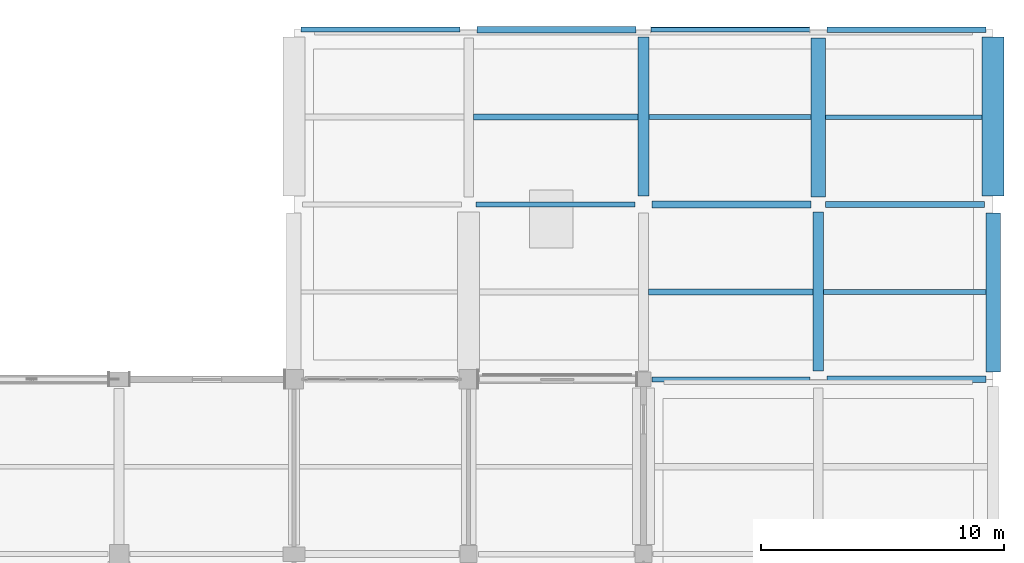
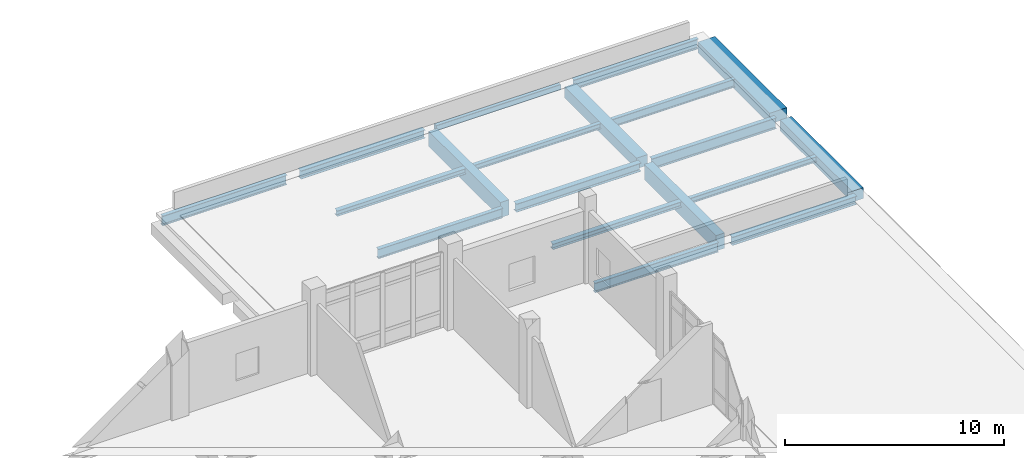
# One storey, part 117 of 186: 19 beams.
"""IFC4 building model written with IfcOpenShell, lengths in metres."""

from ifc_helpers import new_model, si_unit, direction, frame, origin, origin_2d, place, context, subcontext, project, spatial, rectangle, hollow_rectangle, i_section, extrude, material, material_profile, profile_set, type_object, element, save


model = new_model("IFC4")

# Units and contexts
model_context = context("Model", 3, precision=1e-05, world=origin(), true_north=direction((0.0, 1.0)))
body_context = subcontext(model_context, "Body", "Model", "MODEL_VIEW")
ifc_project = project(units=[si_unit("LENGTHUNIT", "METRE"), si_unit("AREAUNIT", "SQUARE_METRE"), si_unit("VOLUMEUNIT", "CUBIC_METRE"), si_unit("PLANEANGLEUNIT", "RADIAN"), si_unit("MASSUNIT", "GRAM", prefix="KILO")], contexts=[model_context])

# Site, building, storey
site_placement = place(None, origin())
site = spatial("IfcSite", under=ifc_project, at=site_placement, CompositionType="ELEMENT")
building_placement = place(site_placement, origin())
building = spatial("IfcBuilding", under=site, at=building_placement, Name="Calvrana Isthmian Art Gallery", CompositionType="ELEMENT")
storey_placement = place(building_placement, frame((0.0, 0.0, 5.39990234375)))
storey = spatial("IfcBuildingStorey", under=building, at=storey_placement, Name="L01", CompositionType="ELEMENT", Elevation=5.39990234375)

# Beams
ifc_material_1 = material(Name="Steel ASTM A992 Gr 50", Category="steel")
ifc_material_profile_1 = material_profile(ifc_material_1, i_section(OverallWidth=0.279052734375, OverallDepth=0.4619140625, WebThickness=0.0107421875, FlangeThickness=0.017333984375, FilletRadius=0.02001953125, at=origin_2d()), Name="W18X76")
ifc_profile_set_1 = profile_set([ifc_material_profile_1], Name="Steel ASTM A992 Gr 50")
beam_type_1 = type_object("IfcBeamType", Name="BM-G-W18X76", PredefinedType="BEAM", material=ifc_profile_set_1)
beam_1_placement = place(storey_placement, frame((156.35009765625, 98.39990234375, -0.475830078125), z_axis=(1.0, 0.0, 0.0), x_axis=(0.0, 1.0, 0.0)))
element("IfcBeam", 1, at=beam_1_placement, inside=storey, type_object=beam_type_1, Name="Girder X L01 21-22/N", PredefinedType="BEAM", context=body_context, shape_type="SweptSolid", body=[
    extrude(i_section(OverallWidth=0.279052734375, OverallDepth=0.4619140625, WebThickness=0.0107421875, FlangeThickness=0.017333984375, FilletRadius=0.02001953125, at=origin_2d()), origin(), (0.0, 0.0, 1.0), 6.5498046875),
])
for number, where, z_axis, x_axis, name in (
    (2, (149.14990234375, 105.60009765625, -0.475830078125), (1.0, 0.0, 0.0), (0.0, 1.0, 0.0), "Girder X L01 20-21/O"),
    (3, (141.949951171875, 112.800048828125, -0.475830078125), (1.0, 0.0, 0.0), (0.0, 1.0, 0.0), "Girder X L01 19-20/P"),
):
    element("IfcBeam", number, at=place(storey_placement, frame(where, z_axis=z_axis, x_axis=x_axis)), inside=storey, type_object=beam_type_1, Name=name, PredefinedType="BEAM", context=body_context, shape_type="SweptSolid", body=[
        extrude(i_section(OverallWidth=0.279052734375, OverallDepth=0.4619140625, WebThickness=0.0107421875, FlangeThickness=0.017333984375, FilletRadius=0.02001953125, at=origin_2d()), origin(), (0.0, 0.0, 1.0), 6.550048828125),
    ])
ifc_material_profile_2 = material_profile(ifc_material_1, i_section(OverallWidth=0.208984375, OverallDepth=0.532958984375, WebThickness=0.01025390625, FlangeThickness=0.015625, FilletRadius=0.02099609375, at=origin_2d()), Name="W21X62")
ifc_profile_set_2 = profile_set([ifc_material_profile_2], Name="Steel ASTM A992 Gr 50")
beam_type_2 = type_object("IfcBeamType", Name="BM-G-W21X62", PredefinedType="BEAM", material=ifc_profile_set_2)
beam_2_placement = place(storey_placement, frame((149.14990234375, 98.39990234375, -0.5712890625), z_axis=(1.0, 0.0, 0.0), x_axis=(0.0, 1.0, 0.0)))
element("IfcBeam", 4, at=beam_2_placement, inside=storey, type_object=beam_type_2, Name="Girder X L01 20-21/N", PredefinedType="BEAM", context=body_context, shape_type="SweptSolid", body=[
    extrude(i_section(OverallWidth=0.208984375, OverallDepth=0.532958984375, WebThickness=0.01025390625, FlangeThickness=0.015625, FilletRadius=0.02099609375, at=origin_2d()), origin(), (0.0, 0.0, 1.0), 6.5),
])
for number, where, z_axis, x_axis, name in (
    (5, (141.89990234375, 105.60009765625, -0.511474609375), (1.0, 0.0, 0.0), (0.0, 1.0, 0.0), "Girder X L01 19-20/O"),
    (6, (134.699951171875, 112.800048828125, -0.511474609375), (1.0, 0.0, 0.0), (0.0, 1.0, 0.0), "Girder X L01 18-19/P"),
):
    element("IfcBeam", number, at=place(storey_placement, frame(where, z_axis=z_axis, x_axis=x_axis)), inside=storey, type_object=beam_type_2, Name=name, PredefinedType="BEAM", context=body_context, shape_type="SweptSolid", body=[
        extrude(i_section(OverallWidth=0.208984375, OverallDepth=0.532958984375, WebThickness=0.01025390625, FlangeThickness=0.015625, FilletRadius=0.02099609375, at=origin_2d()), origin(), (0.0, 0.0, 1.0), 6.550048828125),
    ])
ifc_material_profile_3 = material_profile(ifc_material_1, i_section(OverallWidth=0.214111328125, OverallDepth=0.549072265625, WebThickness=0.0146484375, FlangeThickness=0.023681640625, FilletRadius=0.02099609375, at=origin_2d()), Name="W21X93")
ifc_profile_set_3 = profile_set([ifc_material_profile_3], Name="Steel ASTM A992 Gr 50")
beam_type_3 = type_object("IfcBeamType", Name="BM-G-W21X93", PredefinedType="BEAM", material=ifc_profile_set_3)
beam_3_placement = place(storey_placement, frame((156.35009765625, 112.800048828125, -0.519287109375), z_axis=(1.0, 0.0, 0.0), x_axis=(0.0, 1.0, 0.0)))
element("IfcBeam", 7, at=beam_3_placement, inside=storey, type_object=beam_type_3, Name="Girder X L01 21-22/P", PredefinedType="BEAM", context=body_context, shape_type="SweptSolid", body=[
    extrude(i_section(OverallWidth=0.214111328125, OverallDepth=0.549072265625, WebThickness=0.0146484375, FlangeThickness=0.023681640625, FilletRadius=0.02099609375, at=origin_2d()), origin(), (0.0, 0.0, 1.0), 6.5498046875),
])
ifc_material_profile_4 = material_profile(ifc_material_1, i_section(OverallWidth=0.22802734375, OverallDepth=0.60693359375, WebThickness=0.01123046875, FlangeThickness=0.017333984375, FilletRadius=0.02197265625, at=origin_2d()), Name="W24X76")
ifc_profile_set_4 = profile_set([ifc_material_profile_4], Name="Steel ASTM A992 Gr 50")
beam_type_4 = type_object("IfcBeamType", Name="BM-G-W24X76", PredefinedType="BEAM", material=ifc_profile_set_4)
beam_4_placement = place(storey_placement, frame((156.300048828125, 105.60009765625, -0.54833984375), z_axis=(1.0, 0.0, 0.0), x_axis=(0.0, 1.0, 0.0)))
element("IfcBeam", 8, at=beam_4_placement, inside=storey, type_object=beam_type_4, Name="Girder X L01 21-22/O", PredefinedType="BEAM", context=body_context, shape_type="SweptSolid", body=[
    extrude(i_section(OverallWidth=0.22802734375, OverallDepth=0.60693359375, WebThickness=0.01123046875, FlangeThickness=0.017333984375, FilletRadius=0.02197265625, at=origin_2d()), origin(), (0.0, 0.0, 1.0), 6.550048828125),
])
ifc_material_profile_5 = material_profile(ifc_material_1, i_section(OverallWidth=0.202880859375, OverallDepth=0.302001953125, WebThickness=0.007568359375, FlangeThickness=0.01318359375, FilletRadius=0.01611328125, at=origin_2d()), Name="W12X40")
ifc_profile_set_5 = profile_set([ifc_material_profile_5], Name="Steel ASTM A992 Gr 50")
beam_type_5 = type_object("IfcBeamType", Name="BM-J-W12X40", PredefinedType="JOIST", material=ifc_profile_set_5)
beam_5_placement = place(storey_placement, frame((149.02490234375, 109.199951171875, -0.39599609375), z_axis=(1.0, 0.0, 0.0), x_axis=(0.0, 1.0, 0.0)))
element("IfcBeam", 9, at=beam_5_placement, inside=storey, type_object=beam_type_5, Name="Composite joist L01 bay 19-14", PredefinedType="JOIST", context=body_context, shape_type="SweptSolid", body=[
    extrude(i_section(OverallWidth=0.202880859375, OverallDepth=0.302001953125, WebThickness=0.007568359375, FlangeThickness=0.01318359375, FilletRadius=0.01611328125, at=origin_2d()), origin(), (0.0, 0.0, 1.0), 6.675048828125),
])
beam_6_placement = place(storey_placement, frame((156.22509765625, 102.0, -0.39599609375), z_axis=(1.0, 0.0, 0.0), x_axis=(0.0, 1.0, 0.0)))
element("IfcBeam", 10, at=beam_6_placement, inside=storey, type_object=beam_type_5, Name="Composite joist L01 bay 20-13", PredefinedType="JOIST", context=body_context, shape_type="SweptSolid", body=[
    extrude(i_section(OverallWidth=0.202880859375, OverallDepth=0.302001953125, WebThickness=0.007568359375, FlangeThickness=0.01318359375, FilletRadius=0.01611328125, at=origin_2d()), origin(), (0.0, 0.0, 1.0), 6.6748046875),
])
ifc_material_profile_6 = material_profile(ifc_material_1, i_section(OverallWidth=0.25390625, OverallDepth=0.306884765625, WebThickness=0.0087890625, FlangeThickness=0.0146484375, FilletRadius=0.01611328125, at=origin_2d()), Name="W12X53")
ifc_profile_set_6 = profile_set([ifc_material_profile_6], Name="Steel ASTM A992 Gr 50")
beam_type_6 = type_object("IfcBeamType", Name="BM-J-W12X53", PredefinedType="JOIST", material=ifc_profile_set_6)
for number, where, z_axis, x_axis, name in (
    (11, (141.800048828125, 109.199951171875, -0.3984375), (1.0, 0.0, 0.0), (0.0, 1.0, 0.0), "Composite joist L01 bay 18-14"),
    (12, (149.0, 102.0, -0.3984375), (1.0, 0.0, 0.0), (0.0, 1.0, 0.0), "Composite joist L01 bay 19-13"),
):
    element("IfcBeam", number, at=place(storey_placement, frame(where, z_axis=z_axis, x_axis=x_axis)), inside=storey, type_object=beam_type_6, Name=name, PredefinedType="JOIST", context=body_context, shape_type="SweptSolid", body=[
        extrude(i_section(OverallWidth=0.25390625, OverallDepth=0.306884765625, WebThickness=0.0087890625, FlangeThickness=0.0146484375, FilletRadius=0.01611328125, at=origin_2d()), origin(), (0.0, 0.0, 1.0), 6.77490234375),
    ])
ifc_material_profile_7 = material_profile(ifc_material_1, i_section(OverallWidth=0.19091796875, OverallDepth=0.45703125, WebThickness=0.009033203125, FlangeThickness=0.014404296875, FilletRadius=0.02001953125, at=origin_2d()), Name="W18X50")
ifc_profile_set_7 = profile_set([ifc_material_profile_7], Name="Steel ASTM A992 Gr 50")
beam_type_7 = type_object("IfcBeamType", Name="BM-J-W18X50", PredefinedType="JOIST", material=ifc_profile_set_7)
beam_7_placement = place(storey_placement, frame((156.300048828125, 109.199951171875, -0.473388671875), z_axis=(1.0, 0.0, 0.0), x_axis=(0.0, 1.0, 0.0)))
element("IfcBeam", 13, at=beam_7_placement, inside=storey, type_object=beam_type_7, Name="Composite joist L01 bay 20-14", PredefinedType="JOIST", context=body_context, shape_type="SweptSolid", body=[
    extrude(i_section(OverallWidth=0.19091796875, OverallDepth=0.45703125, WebThickness=0.009033203125, FlangeThickness=0.014404296875, FilletRadius=0.02001953125, at=origin_2d()), origin(), (0.0, 0.0, 1.0), 6.449951171875),
])
ifc_material_2 = material(Name="Concrete C40/50", Category="concrete")
ifc_material_profile_8 = material_profile(ifc_material_2, rectangle(XDim=0.449951171875, YDim=0.85009765625, at=origin_2d()), Name="RC450X850")
ifc_profile_set_8 = profile_set([ifc_material_profile_8], Name="Concrete C40/50")
beam_type_8 = type_object("IfcBeamType", Name="BM-RC-450X850", PredefinedType="BEAM", material=ifc_profile_set_8)
for number, where, z_axis, x_axis, name in (
    (14, (148.800048828125, 105.949951171875, -0.669921875), (0.0, 1.0, 0.0), (-1.0, 0.0, 0.0), "Girder Y L01 20/O-P"),
    (15, (156.0, 98.75, -0.669921875), (0.0, 1.0, 0.0), (-1.0, 0.0, 0.0), "Girder Y L01 21/N-O"),
):
    element("IfcBeam", number, at=place(storey_placement, frame(where, z_axis=z_axis, x_axis=x_axis)), inside=storey, type_object=beam_type_8, Name=name, PredefinedType="BEAM", context=body_context, shape_type="SweptSolid", body=[
        extrude(rectangle(XDim=0.449951171875, YDim=0.85009765625, at=origin_2d()), origin(), (0.0, 0.0, 1.0), 6.550048828125),
    ])
ifc_material_profile_9 = material_profile(ifc_material_2, rectangle(XDim=0.60009765625, YDim=0.60009765625, at=origin_2d()), Name="RC600X600")
ifc_profile_set_9 = profile_set([ifc_material_profile_9], Name="Concrete C40/50")
beam_type_9 = type_object("IfcBeamType", Name="BM-RC-600X600", PredefinedType="BEAM", material=ifc_profile_set_9)
for number, where, z_axis, x_axis, name in (
    (16, (156.0, 105.89990234375, -0.544921875), (0.0, 1.0, 0.0), (-1.0, 0.0, 0.0), "Girder Y L01 21/O-P"),
    (17, (163.199951171875, 98.699951171875, -0.544921875), (0.0, 1.0, 0.0), (-1.0, 0.0, 0.0), "Girder Y L01 22/N-O"),
):
    element("IfcBeam", number, at=place(storey_placement, frame(where, z_axis=z_axis, x_axis=x_axis)), inside=storey, type_object=beam_type_9, Name=name, PredefinedType="BEAM", context=body_context, shape_type="SweptSolid", body=[
        extrude(rectangle(XDim=0.60009765625, YDim=0.60009765625, at=origin_2d()), origin(), (0.0, 0.0, 1.0), 6.550048828125),
    ])
ifc_material_profile_10 = material_profile(ifc_material_2, rectangle(XDim=0.89990234375, YDim=0.60009765625, at=origin_2d()), Name="RC900X600")
ifc_profile_set_10 = profile_set([ifc_material_profile_10], Name="Concrete C40/50")
beam_type_10 = type_object("IfcBeamType", Name="BM-RC-900X600", PredefinedType="BEAM", material=ifc_profile_set_10)
beam_8_placement = place(storey_placement, frame((163.199951171875, 105.949951171875, -0.544921875), z_axis=(0.0, 1.0, 0.0), x_axis=(-1.0, 0.0, 0.0)))
element("IfcBeam", 18, at=beam_8_placement, inside=storey, type_object=beam_type_10, Name="Girder Y L01 22/O-P", PredefinedType="BEAM", context=body_context, shape_type="SweptSolid", body=[
    extrude(rectangle(XDim=0.89990234375, YDim=0.60009765625, at=origin_2d()), origin(), (0.0, 0.0, 1.0), 6.550048828125),
])
ifc_material_3 = material(Name="Steel ASTM A500 Gr C", Category="steel")
ifc_material_profile_11 = material_profile(ifc_material_3, hollow_rectangle(XDim=0.203125, YDim=0.3046875, WallThickness=0.0126953125, OuterFilletRadius=0.02490234375, at=origin_2d()), Name="HSS305X203X12.7")
ifc_profile_set_11 = profile_set([ifc_material_profile_11], Name="Steel ASTM A500 Gr C")
beam_type_11 = type_object("IfcBeamType", Name="BM-SP-HSS305", PredefinedType="SPANDREL", material=ifc_profile_set_11)
beam_9_placement = place(storey_placement, frame((149.10009765625, 112.800048828125, -0.397216796875), z_axis=(1.0, 0.0, 0.0), x_axis=(0.0, 1.0, 0.0)))
element("IfcBeam", 19, at=beam_9_placement, inside=storey, type_object=beam_type_11, Name="Girder X L01 20-21/P", PredefinedType="SPANDREL", context=body_context, shape_type="SweptSolid", body=[
    extrude(hollow_rectangle(XDim=0.203125, YDim=0.3046875, WallThickness=0.0126953125, OuterFilletRadius=0.02490234375, at=origin_2d()), origin(), (0.0, 0.0, 1.0), 6.5498046875),
])

save(model, "model.ifc")
